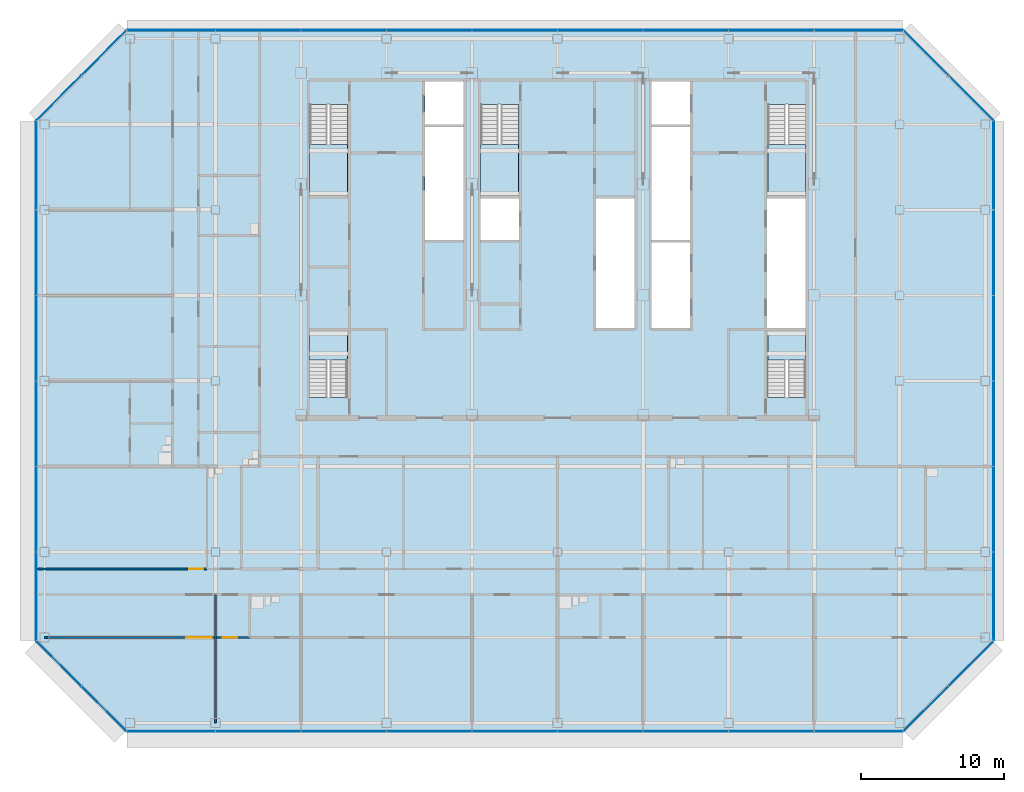
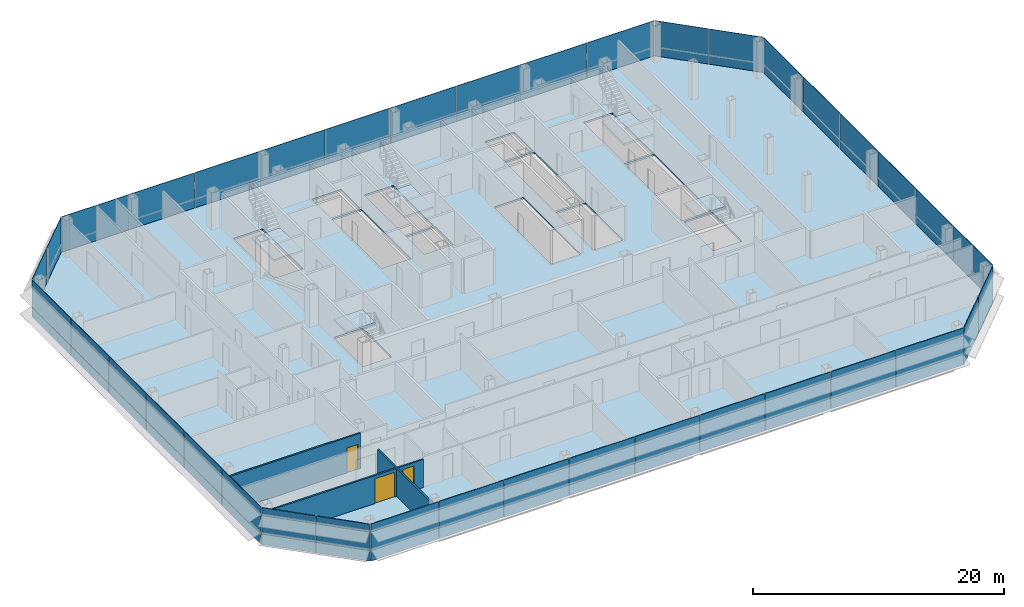
# One storey, part 19 of 26: 38 plates, 6 slabs, 3 doors, 3 walls, 3 openings, 13 elements without a shape of their own.
"""IFC4 building model written with IfcOpenShell, lengths in metres."""

from ifc_helpers import new_model, si_unit, direction, frame, frame_2d, origin, origin_2d, place, context, subcontext, project, spatial, polyline, rectangle, outline, extrude, material, layer, layer_set, type_object, element, fill, aggregate, save


model = new_model("IFC4")

# Units and contexts
model_context = context("Model", 3, precision=1e-05, world=origin(), true_north=direction((0.0, 1.0)))
body_context = subcontext(model_context, "Body", "Model", "MODEL_VIEW")
ifc_project = project(units=[si_unit("LENGTHUNIT", "METRE"), si_unit("AREAUNIT", "SQUARE_METRE"), si_unit("VOLUMEUNIT", "CUBIC_METRE"), si_unit("PLANEANGLEUNIT", "RADIAN"), si_unit("MASSUNIT", "GRAM", prefix="KILO")], contexts=[model_context])

# Site, building, storey
site_placement = place(None, origin())
site = spatial("IfcSite", under=ifc_project, at=site_placement, CompositionType="ELEMENT")
building_placement = place(site_placement, origin())
building = spatial("IfcBuilding", under=site, at=building_placement, Name="Sorahane Residences", CompositionType="ELEMENT")
storey_placement = place(building_placement, frame((0.0, 0.0, 219.0)))
storey = spatial("IfcBuildingStorey", under=building, at=storey_placement, Name="L51", CompositionType="ELEMENT", Elevation=219.0)

# Slab
ifc_material_1 = material(Name="Concrete C35", Category="concrete")
ifc_layer_1 = layer(ifc_material_1, 0.179931640625)
ifc_layer_set_1 = layer_set([ifc_layer_1], Name="Composite floor slab 180 mm Concrete C35")
slab_type_1 = type_object("IfcSlabType", Name="Composite floor slab 180 mm Concrete C35", PredefinedType="FLOOR", material=ifc_layer_set_1)
slab_1_placement = place(storey_placement, frame((0.0, 0.0, -0.179931640625)))
element("IfcSlab", 1, at=slab_1_placement, inside=storey, type_object=slab_type_1, Name="Slab L51", PredefinedType="FLOOR", context=body_context, shape_type="SweptSolid", body=[
    extrude(outline(polyline([(-6.24853515625, -0.60009765625), (-12.60009765625, 5.75146484375), (-12.60009765625, 42.24853515625), (-6.24853515625, 48.60009765625), (48.24853515625, 48.60009765625), (54.60009765625, 42.24853515625), (54.60009765625, 5.75146484375), (48.24853515625, -0.60009765625), (-6.24853515625, -0.60009765625)]), holes=[polyline([(38.699951171875, 27.699951171875), (41.39990234375, 27.699951171875), (41.39990234375, 36.800048828125), (38.699951171875, 36.800048828125), (38.699951171875, 27.699951171875)]), polyline([(30.60009765625, 27.699951171875), (33.300048828125, 27.699951171875), (33.300048828125, 33.699951171875), (30.60009765625, 33.699951171875), (30.60009765625, 27.699951171875)]), polyline([(30.60009765625, 42.0), (33.300048828125, 42.0), (33.300048828125, 45.0), (30.60009765625, 45.0), (30.60009765625, 42.0)]), polyline([(14.699951171875, 42.0), (17.39990234375, 42.0), (17.39990234375, 45.0), (14.699951171875, 45.0), (14.699951171875, 42.0)]), polyline([(6.60009765625, 43.39990234375), (6.60009765625, 37.0), (9.25, 37.0), (9.25, 43.39990234375), (6.60009765625, 43.39990234375)]), polyline([(38.75, 43.39990234375), (38.75, 37.0), (41.39990234375, 37.0), (41.39990234375, 43.39990234375), (38.75, 43.39990234375)]), polyline([(18.60009765625, 43.39990234375), (18.60009765625, 37.0), (21.25, 37.0), (21.25, 43.39990234375), (18.60009765625, 43.39990234375)]), polyline([(9.25, 22.85009765625), (9.25, 27.5), (6.60009765625, 27.5), (6.60009765625, 22.85009765625), (9.25, 22.85009765625)]), polyline([(41.39990234375, 22.85009765625), (41.39990234375, 27.5), (38.75, 27.5), (38.75, 22.85009765625), (41.39990234375, 22.85009765625)]), polyline([(14.699951171875, 33.89990234375), (17.39990234375, 33.89990234375), (17.39990234375, 41.800048828125), (14.699951171875, 41.800048828125), (14.699951171875, 33.89990234375)]), polyline([(30.60009765625, 33.89990234375), (33.300048828125, 33.89990234375), (33.300048828125, 41.800048828125), (30.60009765625, 41.800048828125), (30.60009765625, 33.89990234375)]), polyline([(18.60009765625, 33.89990234375), (21.300048828125, 33.89990234375), (21.300048828125, 36.800048828125), (18.60009765625, 36.800048828125), (18.60009765625, 33.89990234375)]), polyline([(26.699951171875, 27.699951171875), (29.39990234375, 27.699951171875), (29.39990234375, 36.800048828125), (26.699951171875, 36.800048828125), (26.699951171875, 27.699951171875)])]), origin(), (0.0, 0.0, 1.0), 0.179931640625),
])

# Curtain wall, plates
ifc_material_2 = material(Name="Dark low-e glass and black anodised aluminium", Category="aluminium")
curtain_wall_type_1 = type_object("IfcCurtainWallType", Name="Curtain wall CW-1 Typical unitised wall", PredefinedType="NOTDEFINED", material=ifc_material_2)
curtain_wall_1_placement = place(storey_placement, origin())
curtain_wall_1 = element("IfcCurtainWall", 2, at=curtain_wall_1_placement, inside=storey, type_object=curtain_wall_type_1, Name="CW-1 curtain wall L51 S1", PredefinedType="NOTDEFINED")
ifc_material_3 = material(Name="Dark low-e glass with black ceramic frit", Category="glass")
ifc_layer_2 = layer(ifc_material_3, 0.0400390625)
ifc_layer_set_2 = layer_set([ifc_layer_2], Name="Curtain wall glass panel dark low-e with black frit spandrel band")
plate_type = type_object("IfcPlateType", Name="Curtain wall glass panel dark low-e with black frit spandrel band", PredefinedType="CURTAIN_PANEL", material=ifc_layer_set_2)
plate_1_placement = place(storey_placement, frame((-3.11181640625, -0.60009765625, -0.179931640625), z_axis=(0.0, 0.0, 1.0), x_axis=(1.0, 0.0, 0.0)))
plate_1 = element("IfcPlate", 3, at=plate_1_placement, type_object=plate_type, Name="CW-1 glass panel L51 S1.1", PredefinedType="CURTAIN_PANEL", context=body_context, shape_type="SweptSolid", body=[
    extrude(rectangle(XDim=6.173583984375, YDim=0.0400390625, at=origin_2d()), origin(), (0.0, 0.0, 1.0), 3.60009765625),
])
plate_2_placement = place(storey_placement, frame((3.0, -0.60009765625, -0.179931640625), z_axis=(0.0, 0.0, 1.0), x_axis=(1.0, 0.0, 0.0)))
plate_2 = element("IfcPlate", 4, at=plate_2_placement, type_object=plate_type, Name="CW-1 glass panel L51 S1.2", PredefinedType="CURTAIN_PANEL", context=body_context, shape_type="SweptSolid", body=[
    extrude(rectangle(XDim=5.949951171875, YDim=0.0400390625, at=origin_2d()), origin(), (0.0, 0.0, 1.0), 3.60009765625),
])
plate_3_placement = place(storey_placement, frame((9.0, -0.60009765625, -0.179931640625), z_axis=(0.0, 0.0, 1.0), x_axis=(1.0, 0.0, 0.0)))
plate_3 = element("IfcPlate", 5, at=plate_3_placement, type_object=plate_type, Name="CW-1 glass panel L51 S1.3", PredefinedType="CURTAIN_PANEL", context=body_context, shape_type="SweptSolid", body=[
    extrude(rectangle(XDim=5.949951171875, YDim=0.0400390625, at=origin_2d()), origin(), (0.0, 0.0, 1.0), 3.60009765625),
])
plate_4_placement = place(storey_placement, frame((15.0, -0.60009765625, -0.179931640625), z_axis=(0.0, 0.0, 1.0), x_axis=(1.0, 0.0, 0.0)))
plate_4 = element("IfcPlate", 6, at=plate_4_placement, type_object=plate_type, Name="CW-1 glass panel L51 S1.4", PredefinedType="CURTAIN_PANEL", context=body_context, shape_type="SweptSolid", body=[
    extrude(rectangle(XDim=5.949951171875, YDim=0.0400390625, at=origin_2d()), origin(), (0.0, 0.0, 1.0), 3.60009765625),
])
plate_5_placement = place(storey_placement, frame((21.0, -0.60009765625, -0.179931640625), z_axis=(0.0, 0.0, 1.0), x_axis=(1.0, 0.0, 0.0)))
plate_5 = element("IfcPlate", 7, at=plate_5_placement, type_object=plate_type, Name="CW-1 glass panel L51 S1.5", PredefinedType="CURTAIN_PANEL", context=body_context, shape_type="SweptSolid", body=[
    extrude(rectangle(XDim=5.949951171875, YDim=0.0400390625, at=origin_2d()), origin(), (0.0, 0.0, 1.0), 3.60009765625),
])
plate_6_placement = place(storey_placement, frame((27.0, -0.60009765625, -0.179931640625), z_axis=(0.0, 0.0, 1.0), x_axis=(1.0, 0.0, 0.0)))
plate_6 = element("IfcPlate", 8, at=plate_6_placement, type_object=plate_type, Name="CW-1 glass panel L51 S1.6", PredefinedType="CURTAIN_PANEL", context=body_context, shape_type="SweptSolid", body=[
    extrude(rectangle(XDim=5.949951171875, YDim=0.0400390625, at=origin_2d()), origin(), (0.0, 0.0, 1.0), 3.60009765625),
])
plate_7_placement = place(storey_placement, frame((33.0, -0.60009765625, -0.179931640625), z_axis=(0.0, 0.0, 1.0), x_axis=(1.0, 0.0, 0.0)))
plate_7 = element("IfcPlate", 9, at=plate_7_placement, type_object=plate_type, Name="CW-1 glass panel L51 S1.7", PredefinedType="CURTAIN_PANEL", context=body_context, shape_type="SweptSolid", body=[
    extrude(rectangle(XDim=5.949951171875, YDim=0.0400390625, at=origin_2d()), origin(), (0.0, 0.0, 1.0), 3.60009765625),
])
plate_8_placement = place(storey_placement, frame((39.0, -0.60009765625, -0.179931640625), z_axis=(0.0, 0.0, 1.0), x_axis=(1.0, 0.0, 0.0)))
plate_8 = element("IfcPlate", 10, at=plate_8_placement, type_object=plate_type, Name="CW-1 glass panel L51 S1.8", PredefinedType="CURTAIN_PANEL", context=body_context, shape_type="SweptSolid", body=[
    extrude(rectangle(XDim=5.949951171875, YDim=0.0400390625, at=origin_2d()), origin(), (0.0, 0.0, 1.0), 3.60009765625),
])
plate_9_placement = place(storey_placement, frame((45.11181640625, -0.60009765625, -0.179931640625), z_axis=(0.0, 0.0, 1.0), x_axis=(1.0, 0.0, 0.0)))
plate_9 = element("IfcPlate", 11, at=plate_9_placement, type_object=plate_type, Name="CW-1 glass panel L51 S1.9", PredefinedType="CURTAIN_PANEL", context=body_context, shape_type="SweptSolid", body=[
    extrude(rectangle(XDim=6.173583984375, YDim=0.0400390625, at=origin_2d()), origin(), (0.0, 0.0, 1.0), 3.60009765625),
])
aggregate(curtain_wall_1, [plate_1, plate_2, plate_3, plate_4, plate_5, plate_6, plate_7, plate_8, plate_9])

ifc_material_4 = material(Name="Dark low-e glass and black anodised aluminium", Category="aluminium")
curtain_wall_type_2 = type_object("IfcCurtainWallType", Name="Curtain wall CW-2 Chamfer unitised wall", PredefinedType="NOTDEFINED", material=ifc_material_4)
curtain_wall_2_placement = place(storey_placement, origin())
curtain_wall_2 = element("IfcCurtainWall", 12, at=curtain_wall_2_placement, inside=storey, type_object=curtain_wall_type_2, Name="CW-2 curtain wall L51 SE1", PredefinedType="NOTDEFINED")
plate_10_placement = place(storey_placement, frame((49.84521484375, 0.996826171875, -0.179931640625), z_axis=(0.0, 0.0, 1.0), x_axis=(0.707106781187, 0.707106781187, 0.0)))
plate_10 = element("IfcPlate", 13, at=plate_10_placement, type_object=plate_type, Name="CW-2 glass panel L51 SE1.1", PredefinedType="CURTAIN_PANEL", context=body_context, shape_type="SweptSolid", body=[
    extrude(rectangle(XDim=4.416259765625, YDim=0.0400390625, at=origin_2d()), origin(), (0.0, 0.0, 1.0), 3.60009765625),
])
plate_11_placement = place(storey_placement, frame((53.003173828125, 4.15478515625, -0.179931640625), z_axis=(0.0, 0.0, 1.0), x_axis=(0.707106781187, 0.707106781187, 0.0)))
plate_11 = element("IfcPlate", 14, at=plate_11_placement, type_object=plate_type, Name="CW-2 glass panel L51 SE1.2", PredefinedType="CURTAIN_PANEL", context=body_context, shape_type="SweptSolid", body=[
    extrude(rectangle(XDim=4.416259765625, YDim=0.0400390625, at=origin_2d()), origin(), (0.0, 0.0, 1.0), 3.60009765625),
])
aggregate(curtain_wall_2, [plate_10, plate_11])

curtain_wall_3_placement = place(storey_placement, origin())
curtain_wall_3 = element("IfcCurtainWall", 15, at=curtain_wall_3_placement, inside=storey, type_object=curtain_wall_type_1, Name="CW-1 curtain wall L51 E1", PredefinedType="NOTDEFINED")
plate_12_placement = place(storey_placement, frame((54.60009765625, 8.88818359375, -0.179931640625), z_axis=(0.0, 0.0, 1.0), x_axis=(0.0, 1.0, 0.0)))
plate_12 = element("IfcPlate", 16, at=plate_12_placement, type_object=plate_type, Name="CW-1 glass panel L51 E1.1", PredefinedType="CURTAIN_PANEL", context=body_context, shape_type="SweptSolid", body=[
    extrude(rectangle(XDim=6.173583984375, YDim=0.0400390625, at=origin_2d()), origin(), (0.0, 0.0, 1.0), 3.60009765625),
])
plate_13_placement = place(storey_placement, frame((54.60009765625, 15.0, -0.179931640625), z_axis=(0.0, 0.0, 1.0), x_axis=(0.0, 1.0, 0.0)))
plate_13 = element("IfcPlate", 17, at=plate_13_placement, type_object=plate_type, Name="CW-1 glass panel L51 E1.2", PredefinedType="CURTAIN_PANEL", context=body_context, shape_type="SweptSolid", body=[
    extrude(rectangle(XDim=5.949951171875, YDim=0.0400390625, at=origin_2d()), origin(), (0.0, 0.0, 1.0), 3.60009765625),
])
plate_14_placement = place(storey_placement, frame((54.60009765625, 21.0, -0.179931640625), z_axis=(0.0, 0.0, 1.0), x_axis=(0.0, 1.0, 0.0)))
plate_14 = element("IfcPlate", 18, at=plate_14_placement, type_object=plate_type, Name="CW-1 glass panel L51 E1.3", PredefinedType="CURTAIN_PANEL", context=body_context, shape_type="SweptSolid", body=[
    extrude(rectangle(XDim=5.949951171875, YDim=0.0400390625, at=origin_2d()), origin(), (0.0, 0.0, 1.0), 3.60009765625),
])
plate_15_placement = place(storey_placement, frame((54.60009765625, 27.0, -0.179931640625), z_axis=(0.0, 0.0, 1.0), x_axis=(0.0, 1.0, 0.0)))
plate_15 = element("IfcPlate", 19, at=plate_15_placement, type_object=plate_type, Name="CW-1 glass panel L51 E1.4", PredefinedType="CURTAIN_PANEL", context=body_context, shape_type="SweptSolid", body=[
    extrude(rectangle(XDim=5.949951171875, YDim=0.0400390625, at=origin_2d()), origin(), (0.0, 0.0, 1.0), 3.60009765625),
])
plate_16_placement = place(storey_placement, frame((54.60009765625, 33.0, -0.179931640625), z_axis=(0.0, 0.0, 1.0), x_axis=(0.0, 1.0, 0.0)))
plate_16 = element("IfcPlate", 20, at=plate_16_placement, type_object=plate_type, Name="CW-1 glass panel L51 E1.5", PredefinedType="CURTAIN_PANEL", context=body_context, shape_type="SweptSolid", body=[
    extrude(rectangle(XDim=5.949951171875, YDim=0.0400390625, at=origin_2d()), origin(), (0.0, 0.0, 1.0), 3.60009765625),
])
plate_17_placement = place(storey_placement, frame((54.60009765625, 39.11181640625, -0.179931640625), z_axis=(0.0, 0.0, 1.0), x_axis=(0.0, 1.0, 0.0)))
plate_17 = element("IfcPlate", 21, at=plate_17_placement, type_object=plate_type, Name="CW-1 glass panel L51 E1.6", PredefinedType="CURTAIN_PANEL", context=body_context, shape_type="SweptSolid", body=[
    extrude(rectangle(XDim=6.173583984375, YDim=0.0400390625, at=origin_2d()), origin(), (0.0, 0.0, 1.0), 3.60009765625),
])
aggregate(curtain_wall_3, [plate_12, plate_13, plate_14, plate_15, plate_16, plate_17])

curtain_wall_4_placement = place(storey_placement, origin())
curtain_wall_4 = element("IfcCurtainWall", 22, at=curtain_wall_4_placement, inside=storey, type_object=curtain_wall_type_2, Name="CW-2 curtain wall L51 NE1", PredefinedType="NOTDEFINED")
plate_18_placement = place(storey_placement, frame((53.003173828125, 43.84521484375, -0.179931640625), z_axis=(0.0, 0.0, 1.0), x_axis=(-0.707106781187, 0.707106781187, 0.0)))
plate_18 = element("IfcPlate", 23, at=plate_18_placement, type_object=plate_type, Name="CW-2 glass panel L51 NE1.1", PredefinedType="CURTAIN_PANEL", context=body_context, shape_type="SweptSolid", body=[
    extrude(rectangle(XDim=4.416259765625, YDim=0.0400390625, at=origin_2d()), origin(), (0.0, 0.0, 1.0), 3.60009765625),
])
plate_19_placement = place(storey_placement, frame((49.84521484375, 47.003173828125, -0.179931640625), z_axis=(0.0, 0.0, 1.0), x_axis=(-0.707106781187, 0.707106781187, 0.0)))
plate_19 = element("IfcPlate", 24, at=plate_19_placement, type_object=plate_type, Name="CW-2 glass panel L51 NE1.2", PredefinedType="CURTAIN_PANEL", context=body_context, shape_type="SweptSolid", body=[
    extrude(rectangle(XDim=4.416259765625, YDim=0.0400390625, at=origin_2d()), origin(), (0.0, 0.0, 1.0), 3.60009765625),
])
aggregate(curtain_wall_4, [plate_18, plate_19])

curtain_wall_5_placement = place(storey_placement, origin())
curtain_wall_5 = element("IfcCurtainWall", 25, at=curtain_wall_5_placement, inside=storey, type_object=curtain_wall_type_1, Name="CW-1 curtain wall L51 N1", PredefinedType="NOTDEFINED")
plate_20_placement = place(storey_placement, frame((45.11181640625, 48.60009765625, -0.179931640625), z_axis=(0.0, 0.0, 1.0), x_axis=(-1.0, 0.0, 0.0)))
plate_20 = element("IfcPlate", 26, at=plate_20_placement, type_object=plate_type, Name="CW-1 glass panel L51 N1.1", PredefinedType="CURTAIN_PANEL", context=body_context, shape_type="SweptSolid", body=[
    extrude(rectangle(XDim=6.173583984375, YDim=0.0400390625, at=origin_2d()), origin(), (0.0, 0.0, 1.0), 3.60009765625),
])
plate_21_placement = place(storey_placement, frame((39.0, 48.60009765625, -0.179931640625), z_axis=(0.0, 0.0, 1.0), x_axis=(-1.0, 0.0, 0.0)))
plate_21 = element("IfcPlate", 27, at=plate_21_placement, type_object=plate_type, Name="CW-1 glass panel L51 N1.2", PredefinedType="CURTAIN_PANEL", context=body_context, shape_type="SweptSolid", body=[
    extrude(rectangle(XDim=5.949951171875, YDim=0.0400390625, at=origin_2d()), origin(), (0.0, 0.0, 1.0), 3.60009765625),
])
plate_22_placement = place(storey_placement, frame((33.0, 48.60009765625, -0.179931640625), z_axis=(0.0, 0.0, 1.0), x_axis=(-1.0, 0.0, 0.0)))
plate_22 = element("IfcPlate", 28, at=plate_22_placement, type_object=plate_type, Name="CW-1 glass panel L51 N1.3", PredefinedType="CURTAIN_PANEL", context=body_context, shape_type="SweptSolid", body=[
    extrude(rectangle(XDim=5.949951171875, YDim=0.0400390625, at=origin_2d()), origin(), (0.0, 0.0, 1.0), 3.60009765625),
])
plate_23_placement = place(storey_placement, frame((27.0, 48.60009765625, -0.179931640625), z_axis=(0.0, 0.0, 1.0), x_axis=(-1.0, 0.0, 0.0)))
plate_23 = element("IfcPlate", 29, at=plate_23_placement, type_object=plate_type, Name="CW-1 glass panel L51 N1.4", PredefinedType="CURTAIN_PANEL", context=body_context, shape_type="SweptSolid", body=[
    extrude(rectangle(XDim=5.949951171875, YDim=0.0400390625, at=origin_2d()), origin(), (0.0, 0.0, 1.0), 3.60009765625),
])
plate_24_placement = place(storey_placement, frame((21.0, 48.60009765625, -0.179931640625), z_axis=(0.0, 0.0, 1.0), x_axis=(-1.0, 0.0, 0.0)))
plate_24 = element("IfcPlate", 30, at=plate_24_placement, type_object=plate_type, Name="CW-1 glass panel L51 N1.5", PredefinedType="CURTAIN_PANEL", context=body_context, shape_type="SweptSolid", body=[
    extrude(rectangle(XDim=5.949951171875, YDim=0.0400390625, at=origin_2d()), origin(), (0.0, 0.0, 1.0), 3.60009765625),
])
plate_25_placement = place(storey_placement, frame((15.0, 48.60009765625, -0.179931640625), z_axis=(0.0, 0.0, 1.0), x_axis=(-1.0, 0.0, 0.0)))
plate_25 = element("IfcPlate", 31, at=plate_25_placement, type_object=plate_type, Name="CW-1 glass panel L51 N1.6", PredefinedType="CURTAIN_PANEL", context=body_context, shape_type="SweptSolid", body=[
    extrude(rectangle(XDim=5.949951171875, YDim=0.0400390625, at=origin_2d()), origin(), (0.0, 0.0, 1.0), 3.60009765625),
])
plate_26_placement = place(storey_placement, frame((9.0, 48.60009765625, -0.179931640625), z_axis=(0.0, 0.0, 1.0), x_axis=(-1.0, 0.0, 0.0)))
plate_26 = element("IfcPlate", 32, at=plate_26_placement, type_object=plate_type, Name="CW-1 glass panel L51 N1.7", PredefinedType="CURTAIN_PANEL", context=body_context, shape_type="SweptSolid", body=[
    extrude(rectangle(XDim=5.949951171875, YDim=0.0400390625, at=origin_2d()), origin(), (0.0, 0.0, 1.0), 3.60009765625),
])
plate_27_placement = place(storey_placement, frame((3.0, 48.60009765625, -0.179931640625), z_axis=(0.0, 0.0, 1.0), x_axis=(-1.0, 0.0, 0.0)))
plate_27 = element("IfcPlate", 33, at=plate_27_placement, type_object=plate_type, Name="CW-1 glass panel L51 N1.8", PredefinedType="CURTAIN_PANEL", context=body_context, shape_type="SweptSolid", body=[
    extrude(rectangle(XDim=5.949951171875, YDim=0.0400390625, at=origin_2d()), origin(), (0.0, 0.0, 1.0), 3.60009765625),
])
plate_28_placement = place(storey_placement, frame((-3.11181640625, 48.60009765625, -0.179931640625), z_axis=(0.0, 0.0, 1.0), x_axis=(-1.0, 0.0, 0.0)))
plate_28 = element("IfcPlate", 34, at=plate_28_placement, type_object=plate_type, Name="CW-1 glass panel L51 N1.9", PredefinedType="CURTAIN_PANEL", context=body_context, shape_type="SweptSolid", body=[
    extrude(rectangle(XDim=6.173583984375, YDim=0.0400390625, at=origin_2d()), origin(), (0.0, 0.0, 1.0), 3.60009765625),
])
aggregate(curtain_wall_5, [plate_20, plate_21, plate_22, plate_23, plate_24, plate_25, plate_26, plate_27, plate_28])

curtain_wall_6_placement = place(storey_placement, origin())
curtain_wall_6 = element("IfcCurtainWall", 35, at=curtain_wall_6_placement, inside=storey, type_object=curtain_wall_type_2, Name="CW-2 curtain wall L51 NW1", PredefinedType="NOTDEFINED")
plate_29_placement = place(storey_placement, frame((-7.84521484375, 47.003173828125, -0.179931640625), z_axis=(0.0, 0.0, 1.0), x_axis=(-0.707106781187, -0.707106781187, 0.0)))
plate_29 = element("IfcPlate", 36, at=plate_29_placement, type_object=plate_type, Name="CW-2 glass panel L51 NW1.1", PredefinedType="CURTAIN_PANEL", context=body_context, shape_type="SweptSolid", body=[
    extrude(rectangle(XDim=4.416259765625, YDim=0.0400390625, at=origin_2d()), origin(), (0.0, 0.0, 1.0), 3.60009765625),
])
plate_30_placement = place(storey_placement, frame((-11.003173828125, 43.84521484375, -0.179931640625), z_axis=(0.0, 0.0, 1.0), x_axis=(-0.707106781187, -0.707106781187, 0.0)))
plate_30 = element("IfcPlate", 37, at=plate_30_placement, type_object=plate_type, Name="CW-2 glass panel L51 NW1.2", PredefinedType="CURTAIN_PANEL", context=body_context, shape_type="SweptSolid", body=[
    extrude(rectangle(XDim=4.416259765625, YDim=0.0400390625, at=origin_2d()), origin(), (0.0, 0.0, 1.0), 3.60009765625),
])
aggregate(curtain_wall_6, [plate_29, plate_30])

curtain_wall_7_placement = place(storey_placement, origin())
curtain_wall_7 = element("IfcCurtainWall", 38, at=curtain_wall_7_placement, inside=storey, type_object=curtain_wall_type_1, Name="CW-1 curtain wall L51 W1", PredefinedType="NOTDEFINED")
plate_31_placement = place(storey_placement, frame((-12.60009765625, 39.11181640625, -0.179931640625), z_axis=(0.0, 0.0, 1.0), x_axis=(0.0, -1.0, 0.0)))
plate_31 = element("IfcPlate", 39, at=plate_31_placement, type_object=plate_type, Name="CW-1 glass panel L51 W1.1", PredefinedType="CURTAIN_PANEL", context=body_context, shape_type="SweptSolid", body=[
    extrude(rectangle(XDim=6.173583984375, YDim=0.0400390625, at=origin_2d()), origin(), (0.0, 0.0, 1.0), 3.60009765625),
])
plate_32_placement = place(storey_placement, frame((-12.60009765625, 33.0, -0.179931640625), z_axis=(0.0, 0.0, 1.0), x_axis=(0.0, -1.0, 0.0)))
plate_32 = element("IfcPlate", 40, at=plate_32_placement, type_object=plate_type, Name="CW-1 glass panel L51 W1.2", PredefinedType="CURTAIN_PANEL", context=body_context, shape_type="SweptSolid", body=[
    extrude(rectangle(XDim=5.949951171875, YDim=0.0400390625, at=origin_2d()), origin(), (0.0, 0.0, 1.0), 3.60009765625),
])
plate_33_placement = place(storey_placement, frame((-12.60009765625, 27.0, -0.179931640625), z_axis=(0.0, 0.0, 1.0), x_axis=(0.0, -1.0, 0.0)))
plate_33 = element("IfcPlate", 41, at=plate_33_placement, type_object=plate_type, Name="CW-1 glass panel L51 W1.3", PredefinedType="CURTAIN_PANEL", context=body_context, shape_type="SweptSolid", body=[
    extrude(rectangle(XDim=5.949951171875, YDim=0.0400390625, at=origin_2d()), origin(), (0.0, 0.0, 1.0), 3.60009765625),
])
plate_34_placement = place(storey_placement, frame((-12.60009765625, 21.0, -0.179931640625), z_axis=(0.0, 0.0, 1.0), x_axis=(0.0, -1.0, 0.0)))
plate_34 = element("IfcPlate", 42, at=plate_34_placement, type_object=plate_type, Name="CW-1 glass panel L51 W1.4", PredefinedType="CURTAIN_PANEL", context=body_context, shape_type="SweptSolid", body=[
    extrude(rectangle(XDim=5.949951171875, YDim=0.0400390625, at=origin_2d()), origin(), (0.0, 0.0, 1.0), 3.60009765625),
])
plate_35_placement = place(storey_placement, frame((-12.60009765625, 15.0, -0.179931640625), z_axis=(0.0, 0.0, 1.0), x_axis=(0.0, -1.0, 0.0)))
plate_35 = element("IfcPlate", 43, at=plate_35_placement, type_object=plate_type, Name="CW-1 glass panel L51 W1.5", PredefinedType="CURTAIN_PANEL", context=body_context, shape_type="SweptSolid", body=[
    extrude(rectangle(XDim=5.949951171875, YDim=0.0400390625, at=origin_2d()), origin(), (0.0, 0.0, 1.0), 3.60009765625),
])
plate_36_placement = place(storey_placement, frame((-12.60009765625, 8.88818359375, -0.179931640625), z_axis=(0.0, 0.0, 1.0), x_axis=(0.0, -1.0, 0.0)))
plate_36 = element("IfcPlate", 44, at=plate_36_placement, type_object=plate_type, Name="CW-1 glass panel L51 W1.6", PredefinedType="CURTAIN_PANEL", context=body_context, shape_type="SweptSolid", body=[
    extrude(rectangle(XDim=6.173583984375, YDim=0.0400390625, at=origin_2d()), origin(), (0.0, 0.0, 1.0), 3.60009765625),
])
aggregate(curtain_wall_7, [plate_31, plate_32, plate_33, plate_34, plate_35, plate_36])

curtain_wall_8_placement = place(storey_placement, origin())
curtain_wall_8 = element("IfcCurtainWall", 45, at=curtain_wall_8_placement, inside=storey, type_object=curtain_wall_type_2, Name="CW-2 curtain wall L51 SW1", PredefinedType="NOTDEFINED")
plate_37_placement = place(storey_placement, frame((-11.003173828125, 4.15478515625, -0.179931640625), z_axis=(0.0, 0.0, 1.0), x_axis=(0.707106781187, -0.707106781187, 0.0)))
plate_37 = element("IfcPlate", 46, at=plate_37_placement, type_object=plate_type, Name="CW-2 glass panel L51 SW1.1", PredefinedType="CURTAIN_PANEL", context=body_context, shape_type="SweptSolid", body=[
    extrude(rectangle(XDim=4.416259765625, YDim=0.0400390625, at=origin_2d()), origin(), (0.0, 0.0, 1.0), 3.60009765625),
])
plate_38_placement = place(storey_placement, frame((-7.84521484375, 0.996826171875, -0.179931640625), z_axis=(0.0, 0.0, 1.0), x_axis=(0.707106781187, -0.707106781187, 0.0)))
plate_38 = element("IfcPlate", 47, at=plate_38_placement, type_object=plate_type, Name="CW-2 glass panel L51 SW1.2", PredefinedType="CURTAIN_PANEL", context=body_context, shape_type="SweptSolid", body=[
    extrude(rectangle(XDim=4.416259765625, YDim=0.0400390625, at=origin_2d()), origin(), (0.0, 0.0, 1.0), 3.60009765625),
])
aggregate(curtain_wall_8, [plate_37, plate_38])

# Stair, slab
ifc_material_5 = material(Name="Concrete C40", Category="concrete")
stair_type = type_object("IfcStairType", Name="Dog-leg stair 1250 Concrete C40", PredefinedType="HALF_TURN_STAIR", material=ifc_material_5)
stair_1_placement = place(storey_placement, origin())
stair_1 = element("IfcStair", 48, at=stair_1_placement, inside=storey, type_object=stair_type, Name="L51 Stair S1", PredefinedType="HALF_TURN_STAIR")
ifc_material_6 = material(Name="Concrete C40", Category="concrete")
ifc_layer_3 = layer(ifc_material_6, 0.199951171875)
ifc_layer_set_3 = layer_set([ifc_layer_3], Name="Stair landing 200 Concrete C40")
slab_type_2 = type_object("IfcSlabType", Name="Stair landing 200 Concrete C40", PredefinedType="LANDING", material=ifc_layer_set_3)
slab_2_placement = place(storey_placement, frame((0.0, 0.0, 1.60009765625)))
slab_2 = element("IfcSlab", 49, at=slab_2_placement, type_object=slab_type_2, Name="S1 landing 1", PredefinedType="LANDING", context=body_context, shape_type="SweptSolid", body=[
    extrude(outline(polyline([(6.60009765625, 40.60009765625), (6.60009765625, 37.0), (9.25, 37.0), (9.25, 40.60009765625), (6.60009765625, 40.60009765625)])), origin(), (0.0, 0.0, 1.0), 0.199951171875),
])
aggregate(stair_1, [slab_2])

stair_2_placement = place(storey_placement, origin())
stair_2 = element("IfcStair", 50, at=stair_2_placement, inside=storey, type_object=stair_type, Name="L51 Stair S2", PredefinedType="HALF_TURN_STAIR")
slab_3_placement = place(storey_placement, frame((0.0, 0.0, 1.60009765625)))
slab_3 = element("IfcSlab", 51, at=slab_3_placement, type_object=slab_type_2, Name="S2 landing 1", PredefinedType="LANDING", context=body_context, shape_type="SweptSolid", body=[
    extrude(outline(polyline([(38.75, 40.60009765625), (38.75, 37.0), (41.39990234375, 37.0), (41.39990234375, 40.60009765625), (38.75, 40.60009765625)])), origin(), (0.0, 0.0, 1.0), 0.199951171875),
])
aggregate(stair_2, [slab_3])

stair_3_placement = place(storey_placement, origin())
stair_3 = element("IfcStair", 52, at=stair_3_placement, inside=storey, type_object=stair_type, Name="L51 Stair S3", PredefinedType="HALF_TURN_STAIR")
slab_4_placement = place(storey_placement, frame((0.0, 0.0, 1.60009765625)))
slab_4 = element("IfcSlab", 53, at=slab_4_placement, type_object=slab_type_2, Name="S3 landing 1", PredefinedType="LANDING", context=body_context, shape_type="SweptSolid", body=[
    extrude(outline(polyline([(18.60009765625, 40.60009765625), (18.60009765625, 37.0), (21.25, 37.0), (21.25, 40.60009765625), (18.60009765625, 40.60009765625)])), origin(), (0.0, 0.0, 1.0), 0.199951171875),
])
aggregate(stair_3, [slab_4])

stair_4_placement = place(storey_placement, origin())
stair_4 = element("IfcStair", 54, at=stair_4_placement, inside=storey, type_object=stair_type, Name="L51 Stair S4", PredefinedType="HALF_TURN_STAIR")
slab_5_placement = place(storey_placement, frame((0.0, 0.0, 1.60009765625)))
slab_5 = element("IfcSlab", 55, at=slab_5_placement, type_object=slab_type_2, Name="S4 landing 1", PredefinedType="LANDING", context=body_context, shape_type="SweptSolid", body=[
    extrude(outline(polyline([(9.25, 25.449951171875), (9.25, 27.5), (6.60009765625, 27.5), (6.60009765625, 25.449951171875), (9.25, 25.449951171875)])), origin(), (0.0, 0.0, 1.0), 0.199951171875),
])
aggregate(stair_4, [slab_5])

stair_5_placement = place(storey_placement, origin())
stair_5 = element("IfcStair", 56, at=stair_5_placement, inside=storey, type_object=stair_type, Name="L51 Stair S5", PredefinedType="HALF_TURN_STAIR")
slab_6_placement = place(storey_placement, frame((0.0, 0.0, 1.60009765625)))
slab_6 = element("IfcSlab", 57, at=slab_6_placement, type_object=slab_type_2, Name="S5 landing 1", PredefinedType="LANDING", context=body_context, shape_type="SweptSolid", body=[
    extrude(outline(polyline([(41.39990234375, 25.449951171875), (41.39990234375, 27.5), (38.75, 27.5), (38.75, 25.449951171875), (41.39990234375, 25.449951171875)])), origin(), (0.0, 0.0, 1.0), 0.199951171875),
])
aggregate(stair_5, [slab_6])

# Wall
ifc_material_7 = material(Name="Gypsum board partition on steel studs", Category="steel")
ifc_layer_4 = layer(ifc_material_7, 0.14990234375)
ifc_layer_set_4 = layer_set([ifc_layer_4], Name="Partition 150 EI 90")
wall_type = type_object("IfcWallType", Name="Partition 150 EI 90", PredefinedType="PARTITIONING", material=ifc_layer_set_4)
wall_1_placement = place(storey_placement, frame((0.0, 0.0, 0.0), z_axis=(0.0, 0.0, 1.0), x_axis=(0.0, 1.0, 0.0)))
element("IfcWall", 58, at=wall_1_placement, inside=storey, type_object=wall_type, Name="L51 partition", PredefinedType="PARTITIONING", context=body_context, shape_type="SweptSolid", body=[
    extrude(rectangle(XDim=9.0, YDim=0.14990234375, at=frame_2d((4.5, 0.0))), origin(), (0.0, 0.0, 1.0), 2.719970703125),
])

# Wall, opening, door
wall_2_placement = place(storey_placement, frame((-12.60009765625, 10.800048828125, 0.0), z_axis=(0.0, 0.0, 1.0), x_axis=(1.0, 0.0, 0.0)))
wall_2 = element("IfcWall", 59, at=wall_2_placement, inside=storey, type_object=wall_type, Name="L51 partition", PredefinedType="PARTITIONING", context=body_context, shape_type="SweptSolid", body=[
    extrude(rectangle(XDim=12.0, YDim=0.14990234375, at=frame_2d((6.0, 0.0))), origin(), (0.0, 0.0, 1.0), 3.419921875),
])
opening_1_placement = place(wall_2_placement, frame((10.75, 0.0, 0.0)))
opening_1 = element("IfcOpeningElement", 60, at=opening_1_placement, cuts=wall_2, Name="Opening L51-02", PredefinedType="OPENING", context=body_context, shape_type="SweptSolid", body=[
    extrude(rectangle(XDim=1.0, YDim=2.39990234375, at=frame_2d((0.5, 1.199951171875))), frame((0.0, 0.0849609375, 0.0), z_axis=(0.0, -1.0, 0.0), x_axis=(1.0, 0.0, 0.0)), (0.0, 0.0, 1.0), 0.169921875),
])
ifc_material_8 = material(Name="Timber veneered fire door", Category="wood")
door_type_1 = type_object("IfcDoorType", Name="Room door 1000x2400 FD30", OperationType="NOTDEFINED", PredefinedType="DOOR", material=ifc_material_8)
door_1_placement = place(opening_1_placement, origin())
door_1 = element("IfcDoor", 61, at=door_1_placement, inside=storey, type_object=door_type_1, Name="Room door L51-02", OperationType="SINGLE_SWING_LEFT", OverallHeight=2.39990234375, OverallWidth=1.0, PredefinedType="DOOR", context=body_context, shape_type="SweptSolid", body=[
    extrude(rectangle(XDim=1.0, YDim=2.39990234375, at=frame_2d((0.5, 1.199951171875))), frame((0.0, 0.02490234375, 0.0), z_axis=(0.0, -1.0, 0.0), x_axis=(1.0, 0.0, 0.0)), (0.0, 0.0, 1.0), 0.050048828125),
])
fill(opening_1, door_1)

# Wall, openings, doors
wall_3_placement = place(storey_placement, frame((-12.0, 6.0, 0.0), z_axis=(0.0, 0.0, 1.0), x_axis=(1.0, 0.0, 0.0)))
wall_3 = element("IfcWall", 62, at=wall_3_placement, inside=storey, type_object=wall_type, Name="L51 partition", PredefinedType="PARTITIONING", context=body_context, shape_type="SweptSolid", body=[
    extrude(rectangle(XDim=14.39990234375, YDim=0.14990234375, at=frame_2d((7.199951171875, 0.0))), origin(), (0.0, 0.0, 1.0), 2.719970703125),
])
opening_2_placement = place(wall_3_placement, frame((9.949951171875, 0.0, 0.0)))
opening_2 = element("IfcOpeningElement", 63, at=opening_2_placement, cuts=wall_3, Name="Opening L51-10", PredefinedType="OPENING", context=body_context, shape_type="SweptSolid", body=[
    extrude(rectangle(XDim=1.800048828125, YDim=2.39990234375, at=frame_2d((0.89990234375, 1.199951171875))), frame((0.0, 0.0849609375, 0.0), z_axis=(0.0, -1.0, 0.0), x_axis=(1.0, 0.0, 0.0)), (0.0, 0.0, 1.0), 0.169921875),
])
opening_3_placement = place(wall_3_placement, frame((12.52001953125, 0.0, 0.0)))
opening_3 = element("IfcOpeningElement", 64, at=opening_3_placement, cuts=wall_3, Name="Opening L51-11", PredefinedType="OPENING", context=body_context, shape_type="SweptSolid", body=[
    extrude(rectangle(XDim=1.0, YDim=2.39990234375, at=frame_2d((0.5, 1.199951171875))), frame((0.0, 0.0849609375, 0.0), z_axis=(0.0, -1.0, 0.0), x_axis=(1.0, 0.0, 0.0)), (0.0, 0.0, 1.0), 0.169921875),
])
ifc_material_9 = material(Name="Timber veneered fire door", Category="wood")
door_type_2 = type_object("IfcDoorType", Name="Double door 1800x2400 FD30", OperationType="NOTDEFINED", PredefinedType="DOOR", material=ifc_material_9)
door_2_placement = place(opening_2_placement, frame((1.800048828125, 0.0, 0.0), z_axis=(0.0, 0.0, 1.0), x_axis=(-1.0, 0.0, 0.0)))
door_2 = element("IfcDoor", 65, at=door_2_placement, inside=storey, type_object=door_type_2, Name="Double door L51-10", OperationType="SINGLE_SWING_RIGHT", OverallHeight=2.39990234375, OverallWidth=1.800048828125, PredefinedType="DOOR", context=body_context, shape_type="SweptSolid", body=[
    extrude(rectangle(XDim=1.800048828125, YDim=2.39990234375, at=frame_2d((0.89990234375, 1.199951171875))), frame((0.0, 0.02490234375, 0.0), z_axis=(0.0, -1.0, 0.0), x_axis=(1.0, 0.0, 0.0)), (0.0, 0.0, 1.0), 0.050048828125),
])
fill(opening_2, door_2)
door_3_placement = place(opening_3_placement, frame((1.0, 0.0, 0.0), z_axis=(0.0, 0.0, 1.0), x_axis=(-1.0, 0.0, 0.0)))
door_3 = element("IfcDoor", 66, at=door_3_placement, inside=storey, type_object=door_type_1, Name="Room door L51-11", OperationType="SINGLE_SWING_LEFT", OverallHeight=2.39990234375, OverallWidth=1.0, PredefinedType="DOOR", context=body_context, shape_type="SweptSolid", body=[
    extrude(rectangle(XDim=1.0, YDim=2.39990234375, at=frame_2d((0.5, 1.199951171875))), frame((0.0, 0.02490234375, 0.0), z_axis=(0.0, -1.0, 0.0), x_axis=(1.0, 0.0, 0.0)), (0.0, 0.0, 1.0), 0.050048828125),
])
fill(opening_3, door_3)

save(model, "model.ifc")
